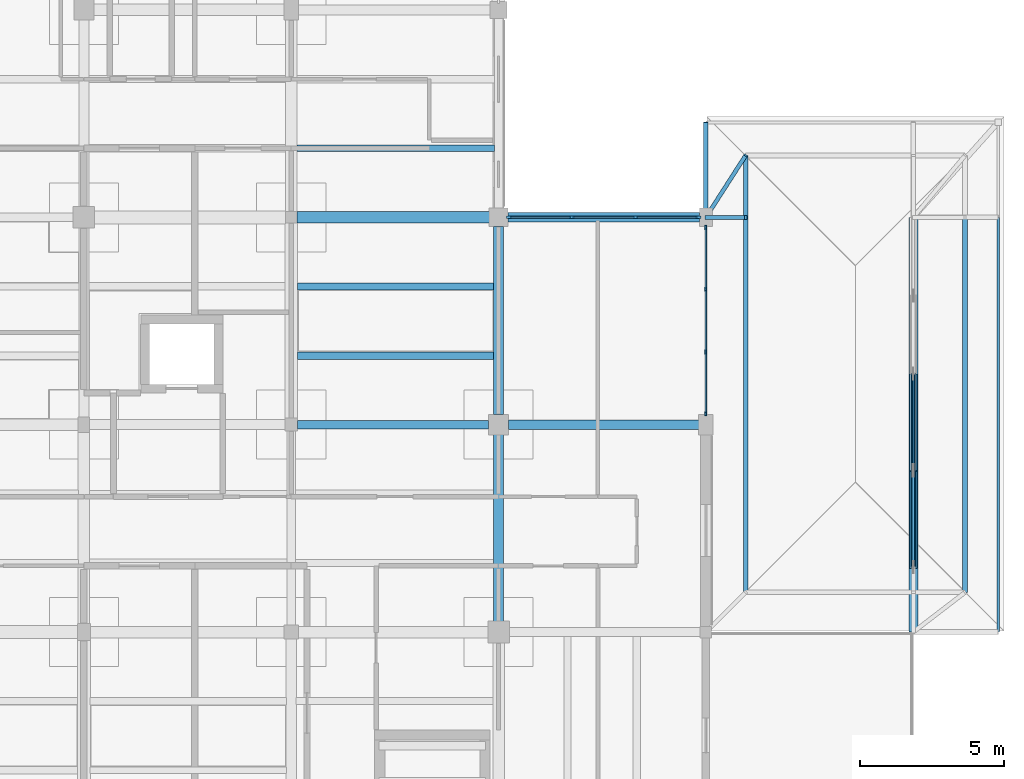
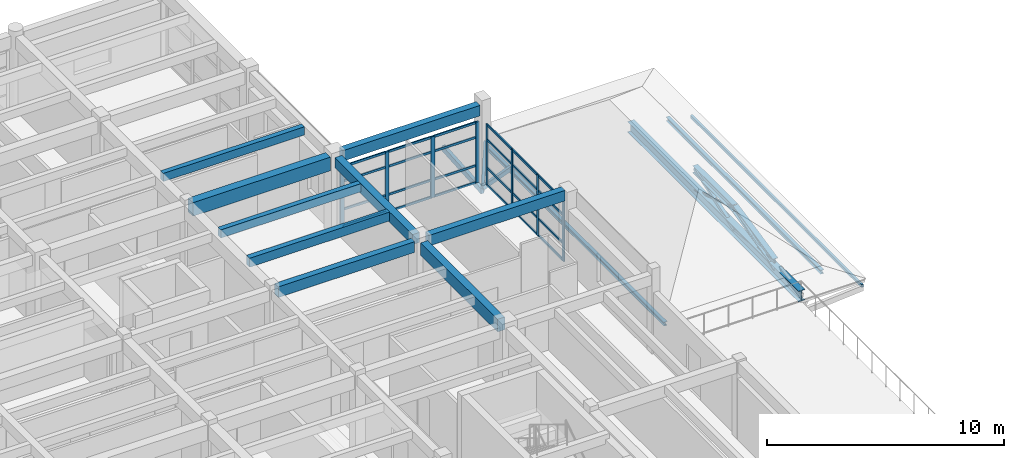
# One storey, part 39 of 100: 45 members, 10 beams, 2 elements without a shape of their own.
"""IFC4 building model written with IfcOpenShell, lengths in metres."""

from ifc_helpers import new_model, si_unit, direction, frame, origin, origin_2d, place, context, subcontext, project, spatial, rectangle, hollow_rectangle, hollow_circle, i_section, extrude, material, material_profile, profile_set, type_object, element, aggregate, save


model = new_model("IFC4")

# Units and contexts
model_context = context("Model", 3, precision=1e-05, world=origin(), true_north=direction((0.0, 1.0)))
body_context = subcontext(model_context, "Body", "Model", "MODEL_VIEW")
ifc_project = project(units=[si_unit("LENGTHUNIT", "METRE"), si_unit("AREAUNIT", "SQUARE_METRE"), si_unit("VOLUMEUNIT", "CUBIC_METRE"), si_unit("PLANEANGLEUNIT", "RADIAN"), si_unit("MASSUNIT", "GRAM", prefix="KILO")], contexts=[model_context])

# Site, building, storey
site_placement = place(None, origin())
site = spatial("IfcSite", under=ifc_project, at=site_placement, CompositionType="ELEMENT")
building_placement = place(site_placement, origin())
building = spatial("IfcBuilding", under=site, at=building_placement, Name="Steenspoor Specialist Clinic", CompositionType="ELEMENT")
storey_placement = place(building_placement, frame((0.0, 0.0, 9.0)))
storey = spatial("IfcBuildingStorey", under=building, at=storey_placement, Name="L02", CompositionType="ELEMENT", Elevation=9.0)

# Beams
ifc_material_1 = material(Name="Concrete C35/45", Category="concrete")
ifc_material_profile_1 = material_profile(ifc_material_1, rectangle(XDim=0.300048828125, YDim=0.550048828125, at=origin_2d()), Name="RC-BM-300X550")
ifc_profile_set_1 = profile_set([ifc_material_profile_1], Name="Concrete C35/45")
beam_type_1 = type_object("IfcBeamType", Name="BM-RC-300X550", PredefinedType="BEAM", material=ifc_profile_set_1)
beam_1_placement = place(storey_placement, frame((139.820068359375, 86.75, 3.675048828125), z_axis=(1.0, 0.0, 0.0), x_axis=(0.0, 1.0, 0.0)))
element("IfcBeam", 1, at=beam_1_placement, inside=storey, type_object=beam_type_1, Name="BM-V6-L02-X1615", PredefinedType="BEAM", context=body_context, shape_type="SweptSolid", body=[
    extrude(rectangle(XDim=0.300048828125, YDim=0.550048828125, at=origin_2d()), origin(), (0.0, 0.0, 1.0), 6.635009765625),
])
ifc_material_profile_2 = material_profile(ifc_material_1, rectangle(XDim=0.35009765625, YDim=0.52001953125, at=origin_2d()), Name="RC-BM-350X520")
ifc_profile_set_2 = profile_set([ifc_material_profile_2], Name="Concrete C35/45")
beam_type_2 = type_object("IfcBeamType", Name="BM-RC-350X520", PredefinedType="BEAM", material=ifc_profile_set_2)
beam_2_placement = place(storey_placement, frame((146.800048828125, 87.094970703125, 3.68994140625), z_axis=(0.0, 1.0, 0.0), x_axis=(-1.0, 0.0, 0.0)))
element("IfcBeam", 2, at=beam_2_placement, inside=storey, type_object=beam_type_2, Name="BM-V6-L02-Y1654", PredefinedType="BEAM", context=body_context, shape_type="SweptSolid", body=[
    extrude(rectangle(XDim=0.35009765625, YDim=0.52001953125, at=origin_2d()), origin(), (0.0, 0.0, 1.0), 6.534912109375),
])
ifc_material_profile_3 = material_profile(ifc_material_1, rectangle(XDim=0.35009765625, YDim=0.64990234375, at=origin_2d()), Name="RC-BM-350X650")
ifc_profile_set_3 = profile_set([ifc_material_profile_3], Name="Concrete C35/45")
beam_type_3 = type_object("IfcBeamType", Name="BM-RC-350X650", PredefinedType="BEAM", material=ifc_profile_set_3)
beam_3_placement = place(storey_placement, frame((146.800048828125, 79.919921875, 3.625), z_axis=(0.0, 1.0, 0.0), x_axis=(-1.0, 0.0, 0.0)))
element("IfcBeam", 3, at=beam_3_placement, inside=storey, type_object=beam_type_3, Name="BM-V6-L02-Y1653", PredefinedType="BEAM", context=body_context, shape_type="SweptSolid", body=[
    extrude(rectangle(XDim=0.35009765625, YDim=0.64990234375, at=origin_2d()), origin(), (0.0, 0.0, 1.0), 6.485107421875),
])
ifc_material_profile_4 = material_profile(ifc_material_1, rectangle(XDim=0.39990234375, YDim=0.699951171875, at=origin_2d()), Name="RC-BM-400X700")
ifc_profile_set_4 = profile_set([ifc_material_profile_4], Name="Concrete C35/45")
beam_type_4 = type_object("IfcBeamType", Name="BM-RC-400X700", PredefinedType="BEAM", material=ifc_profile_set_4)
beam_4_placement = place(storey_placement, frame((139.794921875, 93.949951171875, 3.60009765625), z_axis=(1.0, 0.0, 0.0), x_axis=(0.0, 1.0, 0.0)))
element("IfcBeam", 4, at=beam_4_placement, inside=storey, type_object=beam_type_4, Name="BM-V6-L02-X1619", PredefinedType="BEAM", context=body_context, shape_type="SweptSolid", body=[
    extrude(rectangle(XDim=0.39990234375, YDim=0.699951171875, at=origin_2d()), origin(), (0.0, 0.0, 1.0), 6.68505859375),
])
ifc_material_2 = material(Name="Steel A992 Grade 50", Category="steel")
ifc_material_profile_5 = material_profile(ifc_material_2, i_section(OverallWidth=0.31201171875, OverallDepth=0.54296875, WebThickness=0.0126953125, FlangeThickness=0.020263671875, at=origin_2d()), Name="W530X150")
ifc_profile_set_5 = profile_set([ifc_material_profile_5], Name="Steel A992 Grade 50")
beam_type_5 = type_object("IfcBeamType", Name="BM-ST-W530X150", PredefinedType="BEAM", material=ifc_profile_set_5)
beam_5_placement = place(storey_placement, frame((161.199951171875, 79.550048828125, 0.29150390625), z_axis=(0.0, 1.0, 0.0), x_axis=(-1.0, 0.0, 0.0)))
element("IfcBeam", 5, at=beam_5_placement, inside=storey, type_object=beam_type_5, Name="ROOF TRUSS Bottom Tie Chord V6T1 2", PredefinedType="BEAM", context=body_context, shape_type="SweptSolid", body=[
    extrude(i_section(OverallWidth=0.31201171875, OverallDepth=0.54296875, WebThickness=0.0126953125, FlangeThickness=0.020263671875, at=origin_2d()), origin(), (0.0, 0.0, 1.0), 14.39990234375),
])

# Curtain wall, members
ifc_material_3 = material(Name="Thermally broken aluminium and low-emissivity glass", Category="aluminium")
curtain_wall_type_1 = type_object("IfcCurtainWallType", Name="CW-TYP-300X355", PredefinedType="USERDEFINED", material=ifc_material_3)
curtain_wall_1_placement = place(storey_placement, origin())
curtain_wall_1 = element("IfcCurtainWall", 6, at=curtain_wall_1_placement, inside=storey, type_object=curtain_wall_type_1, Name="Unitised Curtain Wall CW-V6-L02-183", ObjectType="UNITISED GLAZING", PredefinedType="USERDEFINED")
ifc_material_4 = material(Name="Thermally broken aluminium 6063-T6", Category="aluminium")
ifc_material_profile_6 = material_profile(ifc_material_4, rectangle(XDim=0.06494140625, YDim=0.14990234375, at=origin_2d()), Name="CWM-65X150")
ifc_profile_set_6 = profile_set([ifc_material_profile_6], Name="Thermally broken aluminium 6063-T6")
member_type_1 = type_object("IfcMemberType", Name="CW-MULL-65X150", PredefinedType="MULLION", material=ifc_profile_set_6)
member_1_placement = place(storey_placement, frame((154.0, 93.592529296875, 0.0), z_axis=(0.0, 0.0, 1.0), x_axis=(1.0, 0.0, 0.0)))
member_1 = element("IfcMember", 7, at=member_1_placement, type_object=member_type_1, Name="CW-15 mullion 1", PredefinedType="MULLION", context=body_context, shape_type="SweptSolid", body=[
    extrude(rectangle(XDim=0.06494140625, YDim=0.14990234375, at=origin_2d()), origin(), (0.0, 0.0, 1.0), 3.1298828125),
])
member_2_placement = place(storey_placement, frame((154.0, 91.449951171875, 0.0), z_axis=(0.0, 0.0, 1.0), x_axis=(1.0, 0.0, 0.0)))
member_2 = element("IfcMember", 8, at=member_2_placement, type_object=member_type_1, Name="CW-15 mullion 2", PredefinedType="MULLION", context=body_context, shape_type="SweptSolid", body=[
    extrude(rectangle(XDim=0.06494140625, YDim=0.14990234375, at=origin_2d()), origin(), (0.0, 0.0, 1.0), 3.1298828125),
])
member_3_placement = place(storey_placement, frame((154.0, 89.27490234375, 0.0), z_axis=(0.0, 0.0, 1.0), x_axis=(1.0, 0.0, 0.0)))
member_3 = element("IfcMember", 9, at=member_3_placement, type_object=member_type_1, Name="CW-15 mullion 3", PredefinedType="MULLION", context=body_context, shape_type="SweptSolid", body=[
    extrude(rectangle(XDim=0.06494140625, YDim=0.14990234375, at=origin_2d()), origin(), (0.0, 0.0, 1.0), 3.1298828125),
])
member_4_placement = place(storey_placement, frame((154.0, 87.132568359375, 0.0), z_axis=(0.0, 0.0, 1.0), x_axis=(1.0, 0.0, 0.0)))
member_4 = element("IfcMember", 10, at=member_4_placement, type_object=member_type_1, Name="CW-15 mullion 4", PredefinedType="MULLION", context=body_context, shape_type="SweptSolid", body=[
    extrude(rectangle(XDim=0.06494140625, YDim=0.14990234375, at=origin_2d()), origin(), (0.0, 0.0, 1.0), 3.1298828125),
])

curtain_wall_type_2 = type_object("IfcCurtainWallType", Name="CW-HALL-660X820", PredefinedType="USERDEFINED", material=ifc_material_3)
curtain_wall_2_placement = place(storey_placement, origin())
curtain_wall_2 = element("IfcCurtainWall", 11, at=curtain_wall_2_placement, inside=storey, type_object=curtain_wall_type_2, Name="Unitised Curtain Wall CW-V6-L02-193", ObjectType="UNITISED GLAZING", PredefinedType="USERDEFINED")
ifc_material_profile_7 = material_profile(ifc_material_4, rectangle(XDim=0.080078125, YDim=0.179931640625, at=origin_2d()), Name="CWM-80X180")
ifc_profile_set_7 = profile_set([ifc_material_profile_7], Name="Thermally broken aluminium 6063-T6")
member_type_2 = type_object("IfcMemberType", Name="CW-MULL-80X180", PredefinedType="MULLION", material=ifc_profile_set_7)
member_5_placement = place(storey_placement, frame((147.1650390625, 93.949951171875, 0.0), z_axis=(0.0, 0.0, 1.0), x_axis=(0.0, 1.0, 0.0)))
member_5 = element("IfcMember", 12, at=member_5_placement, type_object=member_type_2, Name="CW-01 mullion 1", PredefinedType="MULLION", context=body_context, shape_type="SweptSolid", body=[
    extrude(rectangle(XDim=0.080078125, YDim=0.179931640625, at=origin_2d()), origin(), (0.0, 0.0, 1.0), 3.1298828125),
])
member_6_placement = place(storey_placement, frame((149.341552734375, 93.949951171875, 0.0), z_axis=(0.0, 0.0, 1.0), x_axis=(0.0, 1.0, 0.0)))
member_6 = element("IfcMember", 13, at=member_6_placement, type_object=member_type_2, Name="CW-01 mullion 2", PredefinedType="MULLION", context=body_context, shape_type="SweptSolid", body=[
    extrude(rectangle(XDim=0.080078125, YDim=0.179931640625, at=origin_2d()), origin(), (0.0, 0.0, 1.0), 3.1298828125),
])
member_7_placement = place(storey_placement, frame((151.558349609375, 93.949951171875, 0.0), z_axis=(0.0, 0.0, 1.0), x_axis=(0.0, 1.0, 0.0)))
member_7 = element("IfcMember", 14, at=member_7_placement, type_object=member_type_2, Name="CW-01 mullion 3", PredefinedType="MULLION", context=body_context, shape_type="SweptSolid", body=[
    extrude(rectangle(XDim=0.080078125, YDim=0.179931640625, at=origin_2d()), origin(), (0.0, 0.0, 1.0), 3.1298828125),
])
member_8_placement = place(storey_placement, frame((153.735107421875, 93.949951171875, 0.0), z_axis=(0.0, 0.0, 1.0), x_axis=(0.0, 1.0, 0.0)))
member_8 = element("IfcMember", 15, at=member_8_placement, type_object=member_type_2, Name="CW-01 mullion 4", PredefinedType="MULLION", context=body_context, shape_type="SweptSolid", body=[
    extrude(rectangle(XDim=0.080078125, YDim=0.179931640625, at=origin_2d()), origin(), (0.0, 0.0, 1.0), 3.1298828125),
])

# Member
ifc_material_profile_8 = material_profile(ifc_material_4, rectangle(XDim=0.06005859375, YDim=0.114990234375, at=origin_2d()), Name="CWT-60X115")
ifc_profile_set_8 = profile_set([ifc_material_profile_8], Name="Thermally broken aluminium 6063-T6")
member_type_3 = type_object("IfcMemberType", Name="CW-TRAN-60X115", PredefinedType="USERDEFINED", material=ifc_profile_set_8)
member_9_placement = place(storey_placement, frame((154.0, 93.56005859375, 0.030029296875), z_axis=(0.0, -1.0, 0.0), x_axis=(1.0, 0.0, 0.0)))
member_9 = element("IfcMember", 16, at=member_9_placement, type_object=member_type_3, Name="CW-15 transom 1.1", ObjectType="TRANSOM", PredefinedType="USERDEFINED", context=body_context, shape_type="SweptSolid", body=[
    extrude(rectangle(XDim=0.06005859375, YDim=0.114990234375, at=origin_2d()), origin(), (0.0, 0.0, 1.0), 2.07763671875),
])

member_10_placement = place(storey_placement, frame((154.0, 93.56005859375, 0.89990234375), z_axis=(0.0, -1.0, 0.0), x_axis=(1.0, 0.0, 0.0)))
member_10 = element("IfcMember", 17, at=member_10_placement, type_object=member_type_3, Name="CW-15 transom 1.2", ObjectType="TRANSOM", PredefinedType="USERDEFINED", context=body_context, shape_type="SweptSolid", body=[
    extrude(rectangle(XDim=0.06005859375, YDim=0.114990234375, at=origin_2d()), origin(), (0.0, 0.0, 1.0), 2.07763671875),
])

member_11_placement = place(storey_placement, frame((154.0, 93.56005859375, 2.35009765625), z_axis=(0.0, -1.0, 0.0), x_axis=(1.0, 0.0, 0.0)))
member_11 = element("IfcMember", 18, at=member_11_placement, type_object=member_type_3, Name="CW-15 transom 1.3", ObjectType="TRANSOM", PredefinedType="USERDEFINED", context=body_context, shape_type="SweptSolid", body=[
    extrude(rectangle(XDim=0.06005859375, YDim=0.114990234375, at=origin_2d()), origin(), (0.0, 0.0, 1.0), 2.07763671875),
])

member_12_placement = place(storey_placement, frame((154.0, 93.56005859375, 3.10009765625), z_axis=(0.0, -1.0, 0.0), x_axis=(1.0, 0.0, 0.0)))
member_12 = element("IfcMember", 19, at=member_12_placement, type_object=member_type_3, Name="CW-15 transom 1.4", ObjectType="TRANSOM", PredefinedType="USERDEFINED", context=body_context, shape_type="SweptSolid", body=[
    extrude(rectangle(XDim=0.06005859375, YDim=0.114990234375, at=origin_2d()), origin(), (0.0, 0.0, 1.0), 2.07763671875),
])

member_13_placement = place(storey_placement, frame((154.0, 91.41748046875, 0.030029296875), z_axis=(0.0, -1.0, 0.0), x_axis=(1.0, 0.0, 0.0)))
member_13 = element("IfcMember", 20, at=member_13_placement, type_object=member_type_3, Name="CW-15 transom 2.1", ObjectType="TRANSOM", PredefinedType="USERDEFINED", context=body_context, shape_type="SweptSolid", body=[
    extrude(rectangle(XDim=0.06005859375, YDim=0.114990234375, at=origin_2d()), origin(), (0.0, 0.0, 1.0), 2.10986328125),
])

member_14_placement = place(storey_placement, frame((154.0, 91.41748046875, 0.89990234375), z_axis=(0.0, -1.0, 0.0), x_axis=(1.0, 0.0, 0.0)))
member_14 = element("IfcMember", 21, at=member_14_placement, type_object=member_type_3, Name="CW-15 transom 2.2", ObjectType="TRANSOM", PredefinedType="USERDEFINED", context=body_context, shape_type="SweptSolid", body=[
    extrude(rectangle(XDim=0.06005859375, YDim=0.114990234375, at=origin_2d()), origin(), (0.0, 0.0, 1.0), 2.10986328125),
])

member_15_placement = place(storey_placement, frame((154.0, 91.41748046875, 2.35009765625), z_axis=(0.0, -1.0, 0.0), x_axis=(1.0, 0.0, 0.0)))
member_15 = element("IfcMember", 22, at=member_15_placement, type_object=member_type_3, Name="CW-15 transom 2.3", ObjectType="TRANSOM", PredefinedType="USERDEFINED", context=body_context, shape_type="SweptSolid", body=[
    extrude(rectangle(XDim=0.06005859375, YDim=0.114990234375, at=origin_2d()), origin(), (0.0, 0.0, 1.0), 2.10986328125),
])

member_16_placement = place(storey_placement, frame((154.0, 91.41748046875, 3.10009765625), z_axis=(0.0, -1.0, 0.0), x_axis=(1.0, 0.0, 0.0)))
member_16 = element("IfcMember", 23, at=member_16_placement, type_object=member_type_3, Name="CW-15 transom 2.4", ObjectType="TRANSOM", PredefinedType="USERDEFINED", context=body_context, shape_type="SweptSolid", body=[
    extrude(rectangle(XDim=0.06005859375, YDim=0.114990234375, at=origin_2d()), origin(), (0.0, 0.0, 1.0), 2.10986328125),
])

member_17_placement = place(storey_placement, frame((154.0, 89.242431640625, 0.030029296875), z_axis=(0.0, -1.0, 0.0), x_axis=(1.0, 0.0, 0.0)))
member_17 = element("IfcMember", 24, at=member_17_placement, type_object=member_type_3, Name="CW-15 transom 3.1", ObjectType="TRANSOM", PredefinedType="USERDEFINED", context=body_context, shape_type="SweptSolid", body=[
    extrude(rectangle(XDim=0.06005859375, YDim=0.114990234375, at=origin_2d()), origin(), (0.0, 0.0, 1.0), 2.077392578125),
])

member_18_placement = place(storey_placement, frame((154.0, 89.242431640625, 0.89990234375), z_axis=(0.0, -1.0, 0.0), x_axis=(1.0, 0.0, 0.0)))
member_18 = element("IfcMember", 25, at=member_18_placement, type_object=member_type_3, Name="CW-15 transom 3.2", ObjectType="TRANSOM", PredefinedType="USERDEFINED", context=body_context, shape_type="SweptSolid", body=[
    extrude(rectangle(XDim=0.06005859375, YDim=0.114990234375, at=origin_2d()), origin(), (0.0, 0.0, 1.0), 2.077392578125),
])

member_19_placement = place(storey_placement, frame((154.0, 89.242431640625, 2.35009765625), z_axis=(0.0, -1.0, 0.0), x_axis=(1.0, 0.0, 0.0)))
member_19 = element("IfcMember", 26, at=member_19_placement, type_object=member_type_3, Name="CW-15 transom 3.3", ObjectType="TRANSOM", PredefinedType="USERDEFINED", context=body_context, shape_type="SweptSolid", body=[
    extrude(rectangle(XDim=0.06005859375, YDim=0.114990234375, at=origin_2d()), origin(), (0.0, 0.0, 1.0), 2.077392578125),
])

member_20_placement = place(storey_placement, frame((154.0, 89.242431640625, 3.10009765625), z_axis=(0.0, -1.0, 0.0), x_axis=(1.0, 0.0, 0.0)))
member_20 = element("IfcMember", 27, at=member_20_placement, type_object=member_type_3, Name="CW-15 transom 3.4", ObjectType="TRANSOM", PredefinedType="USERDEFINED", context=body_context, shape_type="SweptSolid", body=[
    extrude(rectangle(XDim=0.06005859375, YDim=0.114990234375, at=origin_2d()), origin(), (0.0, 0.0, 1.0), 2.077392578125),
])

aggregate(curtain_wall_1, [member_1, member_2, member_3, member_4, member_9, member_10, member_11, member_12, member_13, member_14, member_15, member_16, member_17, member_18, member_19, member_20])

member_21_placement = place(storey_placement, frame((147.205078125, 93.949951171875, 0.030029296875), z_axis=(1.0, 0.0, 0.0), x_axis=(0.0, 1.0, 0.0)))
member_21 = element("IfcMember", 28, at=member_21_placement, type_object=member_type_3, Name="CW-01 transom 1.1", ObjectType="TRANSOM", PredefinedType="USERDEFINED", context=body_context, shape_type="SweptSolid", body=[
    extrude(rectangle(XDim=0.06005859375, YDim=0.114990234375, at=origin_2d()), origin(), (0.0, 0.0, 1.0), 2.0966796875),
])

member_22_placement = place(storey_placement, frame((147.205078125, 93.949951171875, 0.89990234375), z_axis=(1.0, 0.0, 0.0), x_axis=(0.0, 1.0, 0.0)))
member_22 = element("IfcMember", 29, at=member_22_placement, type_object=member_type_3, Name="CW-01 transom 1.2", ObjectType="TRANSOM", PredefinedType="USERDEFINED", context=body_context, shape_type="SweptSolid", body=[
    extrude(rectangle(XDim=0.06005859375, YDim=0.114990234375, at=origin_2d()), origin(), (0.0, 0.0, 1.0), 2.0966796875),
])

member_23_placement = place(storey_placement, frame((147.205078125, 93.949951171875, 2.35009765625), z_axis=(1.0, 0.0, 0.0), x_axis=(0.0, 1.0, 0.0)))
member_23 = element("IfcMember", 30, at=member_23_placement, type_object=member_type_3, Name="CW-01 transom 1.3", ObjectType="TRANSOM", PredefinedType="USERDEFINED", context=body_context, shape_type="SweptSolid", body=[
    extrude(rectangle(XDim=0.06005859375, YDim=0.114990234375, at=origin_2d()), origin(), (0.0, 0.0, 1.0), 2.0966796875),
])

member_24_placement = place(storey_placement, frame((147.205078125, 93.949951171875, 3.10009765625), z_axis=(1.0, 0.0, 0.0), x_axis=(0.0, 1.0, 0.0)))
member_24 = element("IfcMember", 31, at=member_24_placement, type_object=member_type_3, Name="CW-01 transom 1.4", ObjectType="TRANSOM", PredefinedType="USERDEFINED", context=body_context, shape_type="SweptSolid", body=[
    extrude(rectangle(XDim=0.06005859375, YDim=0.114990234375, at=origin_2d()), origin(), (0.0, 0.0, 1.0), 2.0966796875),
])

member_25_placement = place(storey_placement, frame((149.381591796875, 93.949951171875, 0.030029296875), z_axis=(1.0, 0.0, 0.0), x_axis=(0.0, 1.0, 0.0)))
member_25 = element("IfcMember", 32, at=member_25_placement, type_object=member_type_3, Name="CW-01 transom 2.1", ObjectType="TRANSOM", PredefinedType="USERDEFINED", context=body_context, shape_type="SweptSolid", body=[
    extrude(rectangle(XDim=0.06005859375, YDim=0.114990234375, at=origin_2d()), origin(), (0.0, 0.0, 1.0), 2.13671875),
])

member_26_placement = place(storey_placement, frame((149.381591796875, 93.949951171875, 0.89990234375), z_axis=(1.0, 0.0, 0.0), x_axis=(0.0, 1.0, 0.0)))
member_26 = element("IfcMember", 33, at=member_26_placement, type_object=member_type_3, Name="CW-01 transom 2.2", ObjectType="TRANSOM", PredefinedType="USERDEFINED", context=body_context, shape_type="SweptSolid", body=[
    extrude(rectangle(XDim=0.06005859375, YDim=0.114990234375, at=origin_2d()), origin(), (0.0, 0.0, 1.0), 2.13671875),
])

member_27_placement = place(storey_placement, frame((149.381591796875, 93.949951171875, 2.35009765625), z_axis=(1.0, 0.0, 0.0), x_axis=(0.0, 1.0, 0.0)))
member_27 = element("IfcMember", 34, at=member_27_placement, type_object=member_type_3, Name="CW-01 transom 2.3", ObjectType="TRANSOM", PredefinedType="USERDEFINED", context=body_context, shape_type="SweptSolid", body=[
    extrude(rectangle(XDim=0.06005859375, YDim=0.114990234375, at=origin_2d()), origin(), (0.0, 0.0, 1.0), 2.13671875),
])

member_28_placement = place(storey_placement, frame((149.381591796875, 93.949951171875, 3.10009765625), z_axis=(1.0, 0.0, 0.0), x_axis=(0.0, 1.0, 0.0)))
member_28 = element("IfcMember", 35, at=member_28_placement, type_object=member_type_3, Name="CW-01 transom 2.4", ObjectType="TRANSOM", PredefinedType="USERDEFINED", context=body_context, shape_type="SweptSolid", body=[
    extrude(rectangle(XDim=0.06005859375, YDim=0.114990234375, at=origin_2d()), origin(), (0.0, 0.0, 1.0), 2.13671875),
])

member_29_placement = place(storey_placement, frame((151.598388671875, 93.949951171875, 0.030029296875), z_axis=(1.0, 0.0, 0.0), x_axis=(0.0, 1.0, 0.0)))
member_29 = element("IfcMember", 36, at=member_29_placement, type_object=member_type_3, Name="CW-01 transom 3.1", ObjectType="TRANSOM", PredefinedType="USERDEFINED", context=body_context, shape_type="SweptSolid", body=[
    extrude(rectangle(XDim=0.06005859375, YDim=0.114990234375, at=origin_2d()), origin(), (0.0, 0.0, 1.0), 2.0966796875),
])

member_30_placement = place(storey_placement, frame((151.598388671875, 93.949951171875, 0.89990234375), z_axis=(1.0, 0.0, 0.0), x_axis=(0.0, 1.0, 0.0)))
member_30 = element("IfcMember", 37, at=member_30_placement, type_object=member_type_3, Name="CW-01 transom 3.2", ObjectType="TRANSOM", PredefinedType="USERDEFINED", context=body_context, shape_type="SweptSolid", body=[
    extrude(rectangle(XDim=0.06005859375, YDim=0.114990234375, at=origin_2d()), origin(), (0.0, 0.0, 1.0), 2.0966796875),
])

member_31_placement = place(storey_placement, frame((151.598388671875, 93.949951171875, 2.35009765625), z_axis=(1.0, 0.0, 0.0), x_axis=(0.0, 1.0, 0.0)))
member_31 = element("IfcMember", 38, at=member_31_placement, type_object=member_type_3, Name="CW-01 transom 3.3", ObjectType="TRANSOM", PredefinedType="USERDEFINED", context=body_context, shape_type="SweptSolid", body=[
    extrude(rectangle(XDim=0.06005859375, YDim=0.114990234375, at=origin_2d()), origin(), (0.0, 0.0, 1.0), 2.0966796875),
])

member_32_placement = place(storey_placement, frame((151.598388671875, 93.949951171875, 3.10009765625), z_axis=(1.0, 0.0, 0.0), x_axis=(0.0, 1.0, 0.0)))
member_32 = element("IfcMember", 39, at=member_32_placement, type_object=member_type_3, Name="CW-01 transom 3.4", ObjectType="TRANSOM", PredefinedType="USERDEFINED", context=body_context, shape_type="SweptSolid", body=[
    extrude(rectangle(XDim=0.06005859375, YDim=0.114990234375, at=origin_2d()), origin(), (0.0, 0.0, 1.0), 2.0966796875),
])

aggregate(curtain_wall_2, [member_5, member_6, member_7, member_8, member_21, member_22, member_23, member_24, member_25, member_26, member_27, member_28, member_29, member_30, member_31, member_32])

# Beams
ifc_material_profile_9 = material_profile(ifc_material_1, rectangle(XDim=0.239990234375, YDim=0.419921875, at=origin_2d()), Name="RC-JT-240X420")
ifc_profile_set_9 = profile_set([ifc_material_profile_9], Name="Concrete C35/45")
beam_type_6 = type_object("IfcBeamType", Name="JT-RC-240X420", PredefinedType="JOIST", material=ifc_profile_set_9)
beam_6_placement = place(storey_placement, frame((139.820068359375, 91.550048828125, 3.739990234375), z_axis=(1.0, 0.0, 0.0), x_axis=(0.0, 1.0, 0.0)))
element("IfcBeam", 40, at=beam_6_placement, inside=storey, type_object=beam_type_6, Name="JT-V6-L02-1695", PredefinedType="JOIST", context=body_context, shape_type="SweptSolid", body=[
    extrude(rectangle(XDim=0.239990234375, YDim=0.419921875, at=origin_2d()), origin(), (0.0, 0.0, 1.0), 6.809814453125),
])
beam_7_placement = place(storey_placement, frame((139.794921875, 96.35009765625, 3.739990234375), z_axis=(1.0, 0.0, 0.0), x_axis=(0.0, 1.0, 0.0)))
element("IfcBeam", 41, at=beam_7_placement, inside=storey, type_object=beam_type_6, Name="JT-V6-L02-1696", PredefinedType="JOIST", context=body_context, shape_type="SweptSolid", body=[
    extrude(rectangle(XDim=0.239990234375, YDim=0.419921875, at=origin_2d()), origin(), (0.0, 0.0, 1.0), 6.860107421875),
])
ifc_material_profile_10 = material_profile(ifc_material_1, rectangle(XDim=0.260009765625, YDim=0.4599609375, at=origin_2d()), Name="RC-JT-260X460")
ifc_profile_set_10 = profile_set([ifc_material_profile_10], Name="Concrete C35/45")
beam_type_7 = type_object("IfcBeamType", Name="JT-RC-260X460", PredefinedType="JOIST", material=ifc_profile_set_10)
beam_8_placement = place(storey_placement, frame((139.820068359375, 89.14990234375, 3.719970703125), z_axis=(1.0, 0.0, 0.0), x_axis=(0.0, 1.0, 0.0)))
element("IfcBeam", 42, at=beam_8_placement, inside=storey, type_object=beam_type_7, Name="JT-V6-L02-1694", PredefinedType="JOIST", context=body_context, shape_type="SweptSolid", body=[
    extrude(rectangle(XDim=0.260009765625, YDim=0.4599609375, at=origin_2d()), origin(), (0.0, 0.0, 1.0), 6.809814453125),
])

# Members
ifc_material_5 = material(Name="Steel A500 Grade C", Category="steel")
ifc_material_profile_11 = material_profile(ifc_material_5, hollow_circle(Radius=0.084228515625, WallThickness=0.007080078125, at=origin_2d()), Name="CHS168X7.1")
ifc_profile_set_11 = profile_set([ifc_material_profile_11], Name="Steel A500 Grade C")
member_type_4 = type_object("IfcMemberType", Name="MEM-BRACE-CHS168", PredefinedType="BRACE", material=ifc_profile_set_11)
member_33_placement = place(storey_placement, frame((161.199951171875, 81.800048828125, 0.29150390625), z_axis=(0.0, 0.949734643995, 0.313056074842), x_axis=(-1.0, 0.0, 0.0)))
element("IfcMember", 43, at=member_33_placement, inside=storey, type_object=member_type_4, Name="ROOF TRUSS Web Brace V6T1 2.1", PredefinedType="BRACE", context=body_context, shape_type="SweptSolid", body=[
    extrude(hollow_circle(Radius=0.084228515625, WallThickness=0.007080078125, at=origin_2d()), origin(), (0.0, 0.0, 1.0), 3.53515625),
])
ifc_material_profile_12 = material_profile(ifc_material_5, hollow_rectangle(XDim=0.15234375, YDim=0.15234375, WallThickness=0.0087890625, at=origin_2d()), Name="HSS152X152X9.5")
ifc_profile_set_12 = profile_set([ifc_material_profile_12], Name="Steel A500 Grade C")
member_type_5 = type_object("IfcMemberType", Name="MEM-BRACE-H152", PredefinedType="BRACE", material=ifc_profile_set_12)
member_34_placement = place(storey_placement, frame((161.199951171875, 85.157470703125, 0.29150390625), z_axis=(0.0, 0.949734643995, 0.313056074842), x_axis=(-1.0, 0.0, 0.0)))
element("IfcMember", 44, at=member_34_placement, inside=storey, type_object=member_type_5, Name="ROOF TRUSS Web Brace V6T1 2.2", PredefinedType="BRACE", context=body_context, shape_type="SweptSolid", body=[
    extrude(hollow_rectangle(XDim=0.15234375, YDim=0.15234375, WallThickness=0.0087890625, at=origin_2d()), origin(), (0.0, 0.0, 1.0), 3.53515625),
])
ifc_material_profile_13 = material_profile(ifc_material_2, i_section(OverallWidth=0.257080078125, OverallDepth=0.363037109375, WebThickness=0.012939453125, FlangeThickness=0.021728515625, at=origin_2d()), Name="W360X122")
ifc_profile_set_13 = profile_set([ifc_material_profile_13], Name="Steel A992 Grade 50")
member_type_6 = type_object("IfcMemberType", Name="MEM-CHORD-W360", PredefinedType="CHORD", material=ifc_profile_set_13)
member_35_placement = place(storey_placement, frame((161.199951171875, 81.800048828125, 0.675048828125), z_axis=(0.0, 0.977581330952, 0.210558166251), x_axis=(-1.0, 0.0, 0.0)))
element("IfcMember", 45, at=member_35_placement, inside=storey, type_object=member_type_6, Name="ROOF TRUSS Top Chord V6T1 2.1", PredefinedType="CHORD", context=body_context, shape_type="SweptSolid", body=[
    extrude(i_section(OverallWidth=0.257080078125, OverallDepth=0.363037109375, WebThickness=0.012939453125, FlangeThickness=0.021728515625, at=origin_2d()), origin(), (0.0, 0.0, 1.0), 3.434326171875),
])
member_36_placement = place(storey_placement, frame((161.199951171875, 85.157470703125, 1.398193359375), z_axis=(0.0, 1.0, 0.0), x_axis=(-1.0, 0.0, 0.0)))
element("IfcMember", 46, at=member_36_placement, inside=storey, type_object=member_type_6, Name="ROOF TRUSS Top Chord V6T1 2.2", PredefinedType="CHORD", context=body_context, shape_type="SweptSolid", body=[
    extrude(i_section(OverallWidth=0.257080078125, OverallDepth=0.363037109375, WebThickness=0.012939453125, FlangeThickness=0.021728515625, at=origin_2d()), origin(), (0.0, 0.0, 1.0), 3.357421875),
])
ifc_material_profile_14 = material_profile(ifc_material_5, hollow_rectangle(XDim=0.1015625, YDim=0.15234375, WallThickness=0.005859375, at=origin_2d()), Name="HSS152X102X6.4")
ifc_profile_set_14 = profile_set([ifc_material_profile_14], Name="Steel A500 Grade C")
member_type_7 = type_object("IfcMemberType", Name="MEM-PURLIN-H152", PredefinedType="PURLIN", material=ifc_profile_set_14)
member_37_placement = place(storey_placement, frame((164.14990234375, 79.550048828125, -0.243408203125), z_axis=(0.0, 1.0, 0.0), x_axis=(-1.0, 0.0, 0.0)))
element("IfcMember", 47, at=member_37_placement, inside=storey, type_object=member_type_7, Name="ROOF TRUSS Eave Fascia 470", PredefinedType="PURLIN", context=body_context, shape_type="SweptSolid", body=[
    extrude(hollow_rectangle(XDim=0.1015625, YDim=0.15234375, WallThickness=0.005859375, at=origin_2d()), origin(), (0.0, 0.0, 1.0), 14.39990234375),
])
ifc_material_profile_15 = material_profile(ifc_material_2, i_section(OverallWidth=0.1650390625, OverallDepth=0.200927734375, WebThickness=0.006103515625, FlangeThickness=0.01025390625, at=origin_2d()), Name="W200X36")
ifc_profile_set_15 = profile_set([ifc_material_profile_15], Name="Steel A992 Grade 50")
member_type_8 = type_object("IfcMemberType", Name="MEM-PURLIN-W200", PredefinedType="PURLIN", material=ifc_profile_set_15)
member_38_placement = place(storey_placement, frame((155.3798828125, 80.929931640625, 0.043212890625), z_axis=(0.0, 1.0, 0.0), x_axis=(-1.0, 0.0, 0.0)))
element("IfcMember", 48, at=member_38_placement, inside=storey, type_object=member_type_8, Name="ROOF TRUSS Knuckle Purlin 476", PredefinedType="PURLIN", context=body_context, shape_type="SweptSolid", body=[
    extrude(i_section(OverallWidth=0.1650390625, OverallDepth=0.200927734375, WebThickness=0.006103515625, FlangeThickness=0.01025390625, at=origin_2d()), origin(), (0.0, 0.0, 1.0), 13.02001953125),
])
member_39_placement = place(storey_placement, frame((155.3798828125, 93.949951171875, 0.043212890625), z_axis=(0.0, 1.0, 0.0), x_axis=(-1.0, 0.0, 0.0)))
element("IfcMember", 49, at=member_39_placement, inside=storey, type_object=member_type_8, Name="ROOF TRUSS Knuckle Purlin 477", PredefinedType="PURLIN", context=body_context, shape_type="SweptSolid", body=[
    extrude(i_section(OverallWidth=0.1650390625, OverallDepth=0.200927734375, WebThickness=0.006103515625, FlangeThickness=0.01025390625, at=origin_2d()), origin(), (0.0, 0.0, 1.0), 2.150146484375),
])
member_40_placement = place(storey_placement, frame((163.0, 80.929931640625, 0.043212890625), z_axis=(0.0, 1.0, 0.0), x_axis=(-1.0, 0.0, 0.0)))
element("IfcMember", 50, at=member_40_placement, inside=storey, type_object=member_type_8, Name="ROOF TRUSS Knuckle Purlin 478", PredefinedType="PURLIN", context=body_context, shape_type="SweptSolid", body=[
    extrude(i_section(OverallWidth=0.1650390625, OverallDepth=0.200927734375, WebThickness=0.006103515625, FlangeThickness=0.01025390625, at=origin_2d()), origin(), (0.0, 0.0, 1.0), 13.02001953125),
])
ifc_material_6 = material(Name="Glulam GL28h", Category="wood")
ifc_material_profile_16 = material_profile(ifc_material_6, rectangle(XDim=0.139892578125, YDim=0.219970703125, at=origin_2d()), Name="GL28H-140X220")
ifc_profile_set_16 = profile_set([ifc_material_profile_16], Name="Glulam GL28h")
member_type_9 = type_object("IfcMemberType", Name="MEM-RAFTER-GL220", PredefinedType="RAFTER", material=ifc_profile_set_16)
member_41_placement = place(storey_placement, frame((154.0, 93.949951171875, -0.35693359375), z_axis=(0.932727507584, 0.0, 0.360582024783), x_axis=(0.0, 1.0, 0.0)))
element("IfcMember", 51, at=member_41_placement, inside=storey, type_object=member_type_9, Name="ROOF TRUSS Knuckle Rafter V6T1 313", PredefinedType="RAFTER", context=body_context, shape_type="SweptSolid", body=[
    extrude(rectangle(XDim=0.139892578125, YDim=0.219970703125, at=origin_2d()), origin(), (0.0, 0.0, 1.0), 1.4794921875),
])
member_42_placement = place(storey_placement, frame((154.0, 93.949951171875, -0.468017578125), z_axis=(0.523697243925, 0.816030011898, 0.244614423914), x_axis=(-0.841597375976, 0.540105412628, 0.0)))
element("IfcMember", 52, at=member_42_placement, inside=storey, type_object=member_type_9, Name="ROOF TRUSS Corner Knuckle Rafter V6T1 318", PredefinedType="RAFTER", context=body_context, shape_type="SweptSolid", body=[
    extrude(rectangle(XDim=0.139892578125, YDim=0.219970703125, at=origin_2d()), origin(), (0.0, 0.0, 1.0), 2.634765625),
])
ifc_material_profile_17 = material_profile(ifc_material_6, rectangle(XDim=0.159912109375, YDim=0.280029296875, at=origin_2d()), Name="GL28H-160X280")
ifc_profile_set_17 = profile_set([ifc_material_profile_17], Name="Glulam GL28h")
member_type_10 = type_object("IfcMemberType", Name="MEM-RAFTER-GL280", PredefinedType="RAFTER", material=ifc_profile_set_17)
member_43_placement = place(storey_placement, frame((154.0, 93.949951171875, -0.5400390625), z_axis=(0.0, 0.997518653982, 0.070402663009), x_axis=(-1.0, 0.0, 0.0)))
element("IfcMember", 53, at=member_43_placement, inside=storey, type_object=member_type_10, Name="ROOF TRUSS Flared Eave Glulam Outrigger V6T1 309", PredefinedType="RAFTER", context=body_context, shape_type="SweptSolid", body=[
    extrude(rectangle(XDim=0.159912109375, YDim=0.280029296875, at=origin_2d()), origin(), (0.0, 0.0, 1.0), 3.308349609375),
])
ifc_material_profile_18 = material_profile(ifc_material_5, hollow_circle(Radius=0.05712890625, WallThickness=0.006103515625, at=origin_2d()), Name="CHS114X6.0")
ifc_profile_set_18 = profile_set([ifc_material_profile_18], Name="Steel A500 Grade C")
member_type_11 = type_object("IfcMemberType", Name="MEM-STRUT-CHS114", PredefinedType="STRUT", material=ifc_profile_set_18)
member_44_placement = place(storey_placement, frame((161.199951171875, 85.157470703125, 1.398193359375), z_axis=(0.0, 0.949734643995, -0.313056074842), x_axis=(-1.0, 0.0, 0.0)))
element("IfcMember", 54, at=member_44_placement, inside=storey, type_object=member_type_11, Name="ROOF TRUSS Web Strut V6T1 2.2", PredefinedType="STRUT", context=body_context, shape_type="SweptSolid", body=[
    extrude(hollow_circle(Radius=0.05712890625, WallThickness=0.006103515625, at=origin_2d()), origin(), (0.0, 0.0, 1.0), 3.53515625),
])
ifc_material_profile_19 = material_profile(ifc_material_5, hollow_rectangle(XDim=0.1015625, YDim=0.1015625, WallThickness=0.005859375, at=origin_2d()), Name="HSS102X102X6.4")
ifc_profile_set_19 = profile_set([ifc_material_profile_19], Name="Steel A500 Grade C")
member_type_12 = type_object("IfcMemberType", Name="MEM-STRUT-H102", PredefinedType="STRUT", material=ifc_profile_set_19)
member_45_placement = place(storey_placement, frame((161.199951171875, 81.800048828125, 0.675048828125), z_axis=(0.0, 0.993538027478, -0.11349972667), x_axis=(-1.0, 0.0, 0.0)))
element("IfcMember", 55, at=member_45_placement, inside=storey, type_object=member_type_12, Name="ROOF TRUSS Web Strut V6T1 2.1", PredefinedType="STRUT", context=body_context, shape_type="SweptSolid", body=[
    extrude(hollow_rectangle(XDim=0.1015625, YDim=0.1015625, WallThickness=0.005859375, at=origin_2d()), origin(), (0.0, 0.0, 1.0), 3.379150390625),
])

# Beams
ifc_material_profile_20 = material_profile(ifc_material_1, rectangle(XDim=0.320068359375, YDim=0.5400390625, at=origin_2d()), Name="RC-SP-320X540")
ifc_profile_set_20 = profile_set([ifc_material_profile_20], Name="Concrete C35/45")
beam_type_8 = type_object("IfcBeamType", Name="SP-RC-320X540", PredefinedType="SPANDREL", material=ifc_profile_set_20)
beam_9_placement = place(storey_placement, frame((147.14501953125, 86.75, 3.764892578125), z_axis=(1.0, 0.0, 0.0), x_axis=(0.0, 1.0, 0.0)))
element("IfcBeam", 56, at=beam_9_placement, inside=storey, type_object=beam_type_8, Name="BMTIER-V6-L02-X04-03", PredefinedType="SPANDREL", context=body_context, shape_type="SweptSolid", body=[
    extrude(rectangle(XDim=0.320068359375, YDim=0.5400390625, at=origin_2d()), origin(), (0.0, 0.0, 1.0), 6.60986328125),
])
beam_10_placement = place(storey_placement, frame((147.1201171875, 93.949951171875, 3.764892578125), z_axis=(1.0, 0.0, 0.0), x_axis=(0.0, 1.0, 0.0)))
element("IfcBeam", 57, at=beam_10_placement, inside=storey, type_object=beam_type_8, Name="BMTIER-V6-L02-X04-04", PredefinedType="SPANDREL", context=body_context, shape_type="SweptSolid", body=[
    extrude(rectangle(XDim=0.320068359375, YDim=0.5400390625, at=origin_2d()), origin(), (0.0, 0.0, 1.0), 6.659912109375),
])

save(model, "model.ifc")
